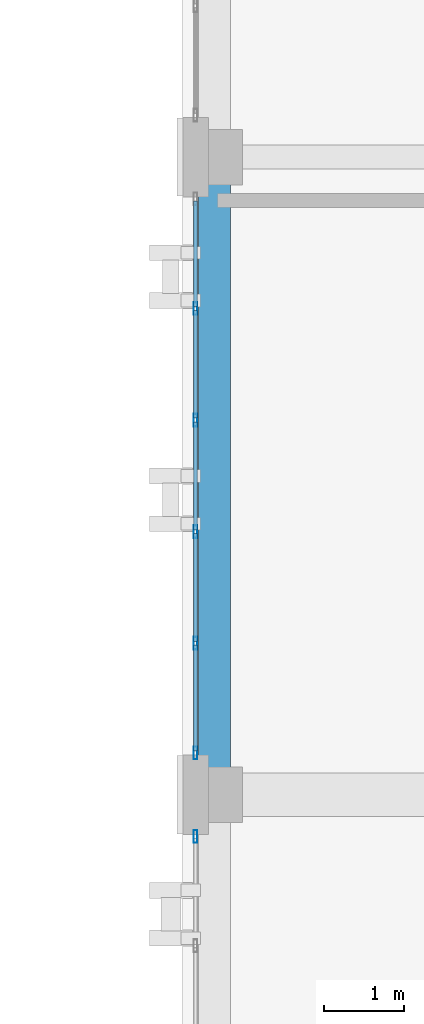
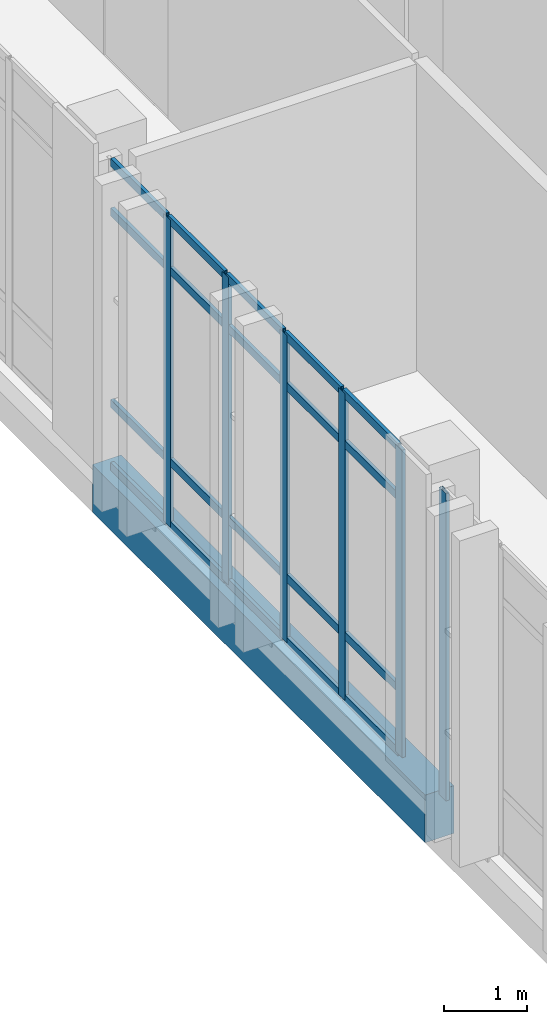
# One storey, part 59 of 189: 26 members, 1 beam, 2 elements without a shape of their own.
"""IFC4 building model written with IfcOpenShell, lengths in metres."""

from ifc_helpers import new_model, si_unit, direction, frame, origin, origin_2d, place, context, subcontext, project, spatial, rectangle, hollow_rectangle, extrude, material, layer, layer_set, material_profile, profile_set, type_object, element, aggregate, save


model = new_model("IFC4")

# Units and contexts
model_context = context("Model", 3, precision=1e-05, world=origin(), true_north=direction((0.0, 1.0)))
body_context = subcontext(model_context, "Body", "Model", "MODEL_VIEW")
ifc_project = project(units=[si_unit("LENGTHUNIT", "METRE"), si_unit("AREAUNIT", "SQUARE_METRE"), si_unit("VOLUMEUNIT", "CUBIC_METRE"), si_unit("PLANEANGLEUNIT", "RADIAN"), si_unit("MASSUNIT", "GRAM", prefix="KILO")], contexts=[model_context])

# Site, building, storey
site_placement = place(None, origin())
site = spatial("IfcSite", under=ifc_project, at=site_placement, CompositionType="ELEMENT")
building_placement = place(site_placement, origin())
building = spatial("IfcBuilding", under=site, at=building_placement, Name="Qalavern Law Courts", CompositionType="ELEMENT")
storey_placement = place(building_placement, frame((0.0, 0.0, 5.39990234375)))
storey = spatial("IfcBuildingStorey", under=building, at=storey_placement, Name="L01", CompositionType="ELEMENT", Elevation=5.39990234375)

# Curtain wall, members
ifc_material_1 = material(Name="Anodised aluminium and insulated glazing", Category="aluminium")
ifc_layer = layer(ifc_material_1, 0.172119140625)
ifc_layer_set = layer_set([ifc_layer], Name="Anodised aluminium and insulated glazing")
curtain_wall_type = type_object("IfcCurtainWallType", Name="ENV-CW-COURT", PredefinedType="USERDEFINED", material=ifc_layer_set)
curtain_wall_1_placement = place(storey_placement, origin())
curtain_wall_1 = element("IfcCurtainWall", 1, at=curtain_wall_1_placement, inside=storey, type_object=curtain_wall_type, Name="V4 unitised curtain wall L01 west 5", ObjectType="UNITISED CURTAIN WALL", PredefinedType="USERDEFINED")
ifc_material_2 = material(Name="Anodised aluminium", Category="aluminium")
ifc_material_profile_1 = material_profile(ifc_material_2, hollow_rectangle(XDim=0.048095703125, YDim=0.159912109375, WallThickness=0.00390625, at=origin_2d()), Name="ALU MULLION 48x160")
ifc_profile_set_1 = profile_set([ifc_material_profile_1], Name="Anodised aluminium")
member_type_1 = type_object("IfcMemberType", Name="ENV-CWM-48x160", PredefinedType="MULLION", material=ifc_profile_set_1)
member_1_placement = place(storey_placement, frame((84.362548828125, 55.5, 0.0), z_axis=(0.0, 0.0, 1.0), x_axis=(1.0, 0.0, 0.0)))
member_1 = element("IfcMember", 2, at=member_1_placement, type_object=member_type_1, Name="CW-03 mullion 2", PredefinedType="MULLION", context=body_context, shape_type="SweptSolid", body=[
    extrude(hollow_rectangle(XDim=0.048095703125, YDim=0.159912109375, WallThickness=0.00390625, at=origin_2d()), origin(), (0.0, 0.0, 1.0), 4.510009765625),
])
member_2_placement = place(storey_placement, frame((84.362548828125, 54.10009765625, 0.0), z_axis=(0.0, 0.0, 1.0), x_axis=(1.0, 0.0, 0.0)))
member_2 = element("IfcMember", 3, at=member_2_placement, type_object=member_type_1, Name="CW-03 mullion 3", PredefinedType="MULLION", context=body_context, shape_type="SweptSolid", body=[
    extrude(hollow_rectangle(XDim=0.048095703125, YDim=0.159912109375, WallThickness=0.00390625, at=origin_2d()), origin(), (0.0, 0.0, 1.0), 4.510009765625),
])
member_3_placement = place(storey_placement, frame((84.362548828125, 52.699951171875, 0.0), z_axis=(0.0, 0.0, 1.0), x_axis=(1.0, 0.0, 0.0)))
member_3 = element("IfcMember", 4, at=member_3_placement, type_object=member_type_1, Name="CW-03 mullion 4", PredefinedType="MULLION", context=body_context, shape_type="SweptSolid", body=[
    extrude(hollow_rectangle(XDim=0.048095703125, YDim=0.159912109375, WallThickness=0.00390625, at=origin_2d()), origin(), (0.0, 0.0, 1.0), 4.510009765625),
])
member_4_placement = place(storey_placement, frame((84.362548828125, 51.300048828125, 0.0), z_axis=(0.0, 0.0, 1.0), x_axis=(1.0, 0.0, 0.0)))
member_4 = element("IfcMember", 5, at=member_4_placement, type_object=member_type_1, Name="CW-03 mullion 5", PredefinedType="MULLION", context=body_context, shape_type="SweptSolid", body=[
    extrude(hollow_rectangle(XDim=0.048095703125, YDim=0.159912109375, WallThickness=0.00390625, at=origin_2d()), origin(), (0.0, 0.0, 1.0), 4.510009765625),
])
member_5_placement = place(storey_placement, frame((84.362548828125, 49.924072265625, 0.0), z_axis=(0.0, 0.0, 1.0), x_axis=(1.0, 0.0, 0.0)))
member_5 = element("IfcMember", 6, at=member_5_placement, type_object=member_type_1, Name="CW-03 mullion 6", PredefinedType="MULLION", context=body_context, shape_type="SweptSolid", body=[
    extrude(hollow_rectangle(XDim=0.048095703125, YDim=0.159912109375, WallThickness=0.00390625, at=origin_2d()), origin(), (0.0, 0.0, 1.0), 4.510009765625),
])

# Curtain wall, member
curtain_wall_2_placement = place(storey_placement, origin())
curtain_wall_2 = element("IfcCurtainWall", 7, at=curtain_wall_2_placement, inside=storey, type_object=curtain_wall_type, Name="V4 unitised curtain wall L01 west 6", ObjectType="UNITISED CURTAIN WALL", PredefinedType="USERDEFINED")
member_6_placement = place(storey_placement, frame((84.362548828125, 48.8759765625, 0.0), z_axis=(0.0, 0.0, 1.0), x_axis=(1.0, 0.0, 0.0)))
member_6 = element("IfcMember", 8, at=member_6_placement, type_object=member_type_1, Name="CW-03 mullion 1", PredefinedType="MULLION", context=body_context, shape_type="SweptSolid", body=[
    extrude(hollow_rectangle(XDim=0.048095703125, YDim=0.159912109375, WallThickness=0.00390625, at=origin_2d()), origin(), (0.0, 0.0, 1.0), 4.510009765625),
])
aggregate(curtain_wall_2, [member_6])

# Member
ifc_material_profile_2 = material_profile(ifc_material_2, hollow_rectangle(XDim=0.048095703125, YDim=0.1201171875, WallThickness=0.00390625, at=origin_2d()), Name="ALU TRANSOM 48x120")
ifc_profile_set_2 = profile_set([ifc_material_profile_2], Name="Anodised aluminium")
member_type_2 = type_object("IfcMemberType", Name="ENV-CWT-48x120", PredefinedType="USERDEFINED", material=ifc_profile_set_2)
member_7_placement = place(storey_placement, frame((84.362548828125, 56.85205078125, 0.024169921875), z_axis=(0.0, -1.0, 0.0), x_axis=(1.0, 0.0, 0.0)))
member_7 = element("IfcMember", 9, at=member_7_placement, type_object=member_type_2, Name="CW-03 transom 1.1", ObjectType="TRANSOM", PredefinedType="USERDEFINED", context=body_context, shape_type="SweptSolid", body=[
    extrude(hollow_rectangle(XDim=0.048095703125, YDim=0.1201171875, WallThickness=0.00390625, at=origin_2d()), origin(), (0.0, 0.0, 1.0), 1.328125),
])

member_8_placement = place(storey_placement, frame((84.362548828125, 56.85205078125, 0.9501953125), z_axis=(0.0, -1.0, 0.0), x_axis=(1.0, 0.0, 0.0)))
member_8 = element("IfcMember", 10, at=member_8_placement, type_object=member_type_2, Name="CW-03 transom 1.2", ObjectType="TRANSOM", PredefinedType="USERDEFINED", context=body_context, shape_type="SweptSolid", body=[
    extrude(hollow_rectangle(XDim=0.048095703125, YDim=0.1201171875, WallThickness=0.00390625, at=origin_2d()), origin(), (0.0, 0.0, 1.0), 1.328125),
])

member_9_placement = place(storey_placement, frame((84.362548828125, 56.85205078125, 3.760009765625), z_axis=(0.0, -1.0, 0.0), x_axis=(1.0, 0.0, 0.0)))
member_9 = element("IfcMember", 11, at=member_9_placement, type_object=member_type_2, Name="CW-03 transom 1.3", ObjectType="TRANSOM", PredefinedType="USERDEFINED", context=body_context, shape_type="SweptSolid", body=[
    extrude(hollow_rectangle(XDim=0.048095703125, YDim=0.1201171875, WallThickness=0.00390625, at=origin_2d()), origin(), (0.0, 0.0, 1.0), 1.328125),
])

member_10_placement = place(storey_placement, frame((84.362548828125, 56.85205078125, 4.486083984375), z_axis=(0.0, -1.0, 0.0), x_axis=(1.0, 0.0, 0.0)))
member_10 = element("IfcMember", 12, at=member_10_placement, type_object=member_type_2, Name="CW-03 transom 1.4", ObjectType="TRANSOM", PredefinedType="USERDEFINED", context=body_context, shape_type="SweptSolid", body=[
    extrude(hollow_rectangle(XDim=0.048095703125, YDim=0.1201171875, WallThickness=0.00390625, at=origin_2d()), origin(), (0.0, 0.0, 1.0), 1.328125),
])

member_11_placement = place(storey_placement, frame((84.362548828125, 55.47607421875, 0.024169921875), z_axis=(0.0, -1.0, 0.0), x_axis=(1.0, 0.0, 0.0)))
member_11 = element("IfcMember", 13, at=member_11_placement, type_object=member_type_2, Name="CW-03 transom 2.1", ObjectType="TRANSOM", PredefinedType="USERDEFINED", context=body_context, shape_type="SweptSolid", body=[
    extrude(hollow_rectangle(XDim=0.048095703125, YDim=0.1201171875, WallThickness=0.00390625, at=origin_2d()), origin(), (0.0, 0.0, 1.0), 1.35205078125),
])

member_12_placement = place(storey_placement, frame((84.362548828125, 55.47607421875, 0.9501953125), z_axis=(0.0, -1.0, 0.0), x_axis=(1.0, 0.0, 0.0)))
member_12 = element("IfcMember", 14, at=member_12_placement, type_object=member_type_2, Name="CW-03 transom 2.2", ObjectType="TRANSOM", PredefinedType="USERDEFINED", context=body_context, shape_type="SweptSolid", body=[
    extrude(hollow_rectangle(XDim=0.048095703125, YDim=0.1201171875, WallThickness=0.00390625, at=origin_2d()), origin(), (0.0, 0.0, 1.0), 1.35205078125),
])

member_13_placement = place(storey_placement, frame((84.362548828125, 55.47607421875, 3.760009765625), z_axis=(0.0, -1.0, 0.0), x_axis=(1.0, 0.0, 0.0)))
member_13 = element("IfcMember", 15, at=member_13_placement, type_object=member_type_2, Name="CW-03 transom 2.3", ObjectType="TRANSOM", PredefinedType="USERDEFINED", context=body_context, shape_type="SweptSolid", body=[
    extrude(hollow_rectangle(XDim=0.048095703125, YDim=0.1201171875, WallThickness=0.00390625, at=origin_2d()), origin(), (0.0, 0.0, 1.0), 1.35205078125),
])

member_14_placement = place(storey_placement, frame((84.362548828125, 55.47607421875, 4.486083984375), z_axis=(0.0, -1.0, 0.0), x_axis=(1.0, 0.0, 0.0)))
member_14 = element("IfcMember", 16, at=member_14_placement, type_object=member_type_2, Name="CW-03 transom 2.4", ObjectType="TRANSOM", PredefinedType="USERDEFINED", context=body_context, shape_type="SweptSolid", body=[
    extrude(hollow_rectangle(XDim=0.048095703125, YDim=0.1201171875, WallThickness=0.00390625, at=origin_2d()), origin(), (0.0, 0.0, 1.0), 1.35205078125),
])

member_15_placement = place(storey_placement, frame((84.362548828125, 54.075927734375, 0.024169921875), z_axis=(0.0, -1.0, 0.0), x_axis=(1.0, 0.0, 0.0)))
member_15 = element("IfcMember", 17, at=member_15_placement, type_object=member_type_2, Name="CW-03 transom 3.1", ObjectType="TRANSOM", PredefinedType="USERDEFINED", context=body_context, shape_type="SweptSolid", body=[
    extrude(hollow_rectangle(XDim=0.048095703125, YDim=0.1201171875, WallThickness=0.00390625, at=origin_2d()), origin(), (0.0, 0.0, 1.0), 1.351806640625),
])

member_16_placement = place(storey_placement, frame((84.362548828125, 54.075927734375, 0.9501953125), z_axis=(0.0, -1.0, 0.0), x_axis=(1.0, 0.0, 0.0)))
member_16 = element("IfcMember", 18, at=member_16_placement, type_object=member_type_2, Name="CW-03 transom 3.2", ObjectType="TRANSOM", PredefinedType="USERDEFINED", context=body_context, shape_type="SweptSolid", body=[
    extrude(hollow_rectangle(XDim=0.048095703125, YDim=0.1201171875, WallThickness=0.00390625, at=origin_2d()), origin(), (0.0, 0.0, 1.0), 1.351806640625),
])

member_17_placement = place(storey_placement, frame((84.362548828125, 54.075927734375, 3.760009765625), z_axis=(0.0, -1.0, 0.0), x_axis=(1.0, 0.0, 0.0)))
member_17 = element("IfcMember", 19, at=member_17_placement, type_object=member_type_2, Name="CW-03 transom 3.3", ObjectType="TRANSOM", PredefinedType="USERDEFINED", context=body_context, shape_type="SweptSolid", body=[
    extrude(hollow_rectangle(XDim=0.048095703125, YDim=0.1201171875, WallThickness=0.00390625, at=origin_2d()), origin(), (0.0, 0.0, 1.0), 1.351806640625),
])

member_18_placement = place(storey_placement, frame((84.362548828125, 54.075927734375, 4.486083984375), z_axis=(0.0, -1.0, 0.0), x_axis=(1.0, 0.0, 0.0)))
member_18 = element("IfcMember", 20, at=member_18_placement, type_object=member_type_2, Name="CW-03 transom 3.4", ObjectType="TRANSOM", PredefinedType="USERDEFINED", context=body_context, shape_type="SweptSolid", body=[
    extrude(hollow_rectangle(XDim=0.048095703125, YDim=0.1201171875, WallThickness=0.00390625, at=origin_2d()), origin(), (0.0, 0.0, 1.0), 1.351806640625),
])

member_19_placement = place(storey_placement, frame((84.362548828125, 52.676025390625, 0.024169921875), z_axis=(0.0, -1.0, 0.0), x_axis=(1.0, 0.0, 0.0)))
member_19 = element("IfcMember", 21, at=member_19_placement, type_object=member_type_2, Name="CW-03 transom 4.1", ObjectType="TRANSOM", PredefinedType="USERDEFINED", context=body_context, shape_type="SweptSolid", body=[
    extrude(hollow_rectangle(XDim=0.048095703125, YDim=0.1201171875, WallThickness=0.00390625, at=origin_2d()), origin(), (0.0, 0.0, 1.0), 1.35205078125),
])

member_20_placement = place(storey_placement, frame((84.362548828125, 52.676025390625, 0.9501953125), z_axis=(0.0, -1.0, 0.0), x_axis=(1.0, 0.0, 0.0)))
member_20 = element("IfcMember", 22, at=member_20_placement, type_object=member_type_2, Name="CW-03 transom 4.2", ObjectType="TRANSOM", PredefinedType="USERDEFINED", context=body_context, shape_type="SweptSolid", body=[
    extrude(hollow_rectangle(XDim=0.048095703125, YDim=0.1201171875, WallThickness=0.00390625, at=origin_2d()), origin(), (0.0, 0.0, 1.0), 1.35205078125),
])

member_21_placement = place(storey_placement, frame((84.362548828125, 52.676025390625, 3.760009765625), z_axis=(0.0, -1.0, 0.0), x_axis=(1.0, 0.0, 0.0)))
member_21 = element("IfcMember", 23, at=member_21_placement, type_object=member_type_2, Name="CW-03 transom 4.3", ObjectType="TRANSOM", PredefinedType="USERDEFINED", context=body_context, shape_type="SweptSolid", body=[
    extrude(hollow_rectangle(XDim=0.048095703125, YDim=0.1201171875, WallThickness=0.00390625, at=origin_2d()), origin(), (0.0, 0.0, 1.0), 1.35205078125),
])

member_22_placement = place(storey_placement, frame((84.362548828125, 52.676025390625, 4.486083984375), z_axis=(0.0, -1.0, 0.0), x_axis=(1.0, 0.0, 0.0)))
member_22 = element("IfcMember", 24, at=member_22_placement, type_object=member_type_2, Name="CW-03 transom 4.4", ObjectType="TRANSOM", PredefinedType="USERDEFINED", context=body_context, shape_type="SweptSolid", body=[
    extrude(hollow_rectangle(XDim=0.048095703125, YDim=0.1201171875, WallThickness=0.00390625, at=origin_2d()), origin(), (0.0, 0.0, 1.0), 1.35205078125),
])

member_23_placement = place(storey_placement, frame((84.362548828125, 51.27587890625, 0.024169921875), z_axis=(0.0, -1.0, 0.0), x_axis=(1.0, 0.0, 0.0)))
member_23 = element("IfcMember", 25, at=member_23_placement, type_object=member_type_2, Name="CW-03 transom 5.1", ObjectType="TRANSOM", PredefinedType="USERDEFINED", context=body_context, shape_type="SweptSolid", body=[
    extrude(hollow_rectangle(XDim=0.048095703125, YDim=0.1201171875, WallThickness=0.00390625, at=origin_2d()), origin(), (0.0, 0.0, 1.0), 1.327880859375),
])

member_24_placement = place(storey_placement, frame((84.362548828125, 51.27587890625, 0.9501953125), z_axis=(0.0, -1.0, 0.0), x_axis=(1.0, 0.0, 0.0)))
member_24 = element("IfcMember", 26, at=member_24_placement, type_object=member_type_2, Name="CW-03 transom 5.2", ObjectType="TRANSOM", PredefinedType="USERDEFINED", context=body_context, shape_type="SweptSolid", body=[
    extrude(hollow_rectangle(XDim=0.048095703125, YDim=0.1201171875, WallThickness=0.00390625, at=origin_2d()), origin(), (0.0, 0.0, 1.0), 1.327880859375),
])

member_25_placement = place(storey_placement, frame((84.362548828125, 51.27587890625, 3.760009765625), z_axis=(0.0, -1.0, 0.0), x_axis=(1.0, 0.0, 0.0)))
member_25 = element("IfcMember", 27, at=member_25_placement, type_object=member_type_2, Name="CW-03 transom 5.3", ObjectType="TRANSOM", PredefinedType="USERDEFINED", context=body_context, shape_type="SweptSolid", body=[
    extrude(hollow_rectangle(XDim=0.048095703125, YDim=0.1201171875, WallThickness=0.00390625, at=origin_2d()), origin(), (0.0, 0.0, 1.0), 1.327880859375),
])

member_26_placement = place(storey_placement, frame((84.362548828125, 51.27587890625, 4.486083984375), z_axis=(0.0, -1.0, 0.0), x_axis=(1.0, 0.0, 0.0)))
member_26 = element("IfcMember", 28, at=member_26_placement, type_object=member_type_2, Name="CW-03 transom 5.4", ObjectType="TRANSOM", PredefinedType="USERDEFINED", context=body_context, shape_type="SweptSolid", body=[
    extrude(hollow_rectangle(XDim=0.048095703125, YDim=0.1201171875, WallThickness=0.00390625, at=origin_2d()), origin(), (0.0, 0.0, 1.0), 1.327880859375),
])

aggregate(curtain_wall_1, [member_1, member_2, member_3, member_4, member_5, member_7, member_8, member_9, member_10, member_11, member_12, member_13, member_14, member_15, member_16, member_17, member_18, member_19, member_20, member_21, member_22, member_23, member_24, member_25, member_26])

# Beam
ifc_material_3 = material(Name="Concrete C40/50", Category="concrete")
ifc_material_profile_3 = material_profile(ifc_material_3, rectangle(XDim=0.39990234375, YDim=0.699951171875, at=origin_2d()), Name="RC 400x700")
ifc_profile_set_3 = profile_set([ifc_material_profile_3], Name="Concrete C40/50")
beam_type = type_object("IfcBeamType", Name="STR-SP-RC400x700", PredefinedType="SPANDREL", material=ifc_profile_set_3)
beam_placement = place(storey_placement, frame((84.60009765625, 49.39990234375, -0.64990234375), z_axis=(0.0, 1.0, 0.0), x_axis=(-1.0, 0.0, 0.0)))
element("IfcBeam", 29, at=beam_placement, inside=storey, type_object=beam_type, Name="V4 Y-beam 1-2 L01", PredefinedType="SPANDREL", context=body_context, shape_type="SweptSolid", body=[
    extrude(rectangle(XDim=0.39990234375, YDim=0.699951171875, at=origin_2d()), origin(), (0.0, 0.0, 1.0), 8.0),
])

save(model, "model.ifc")
